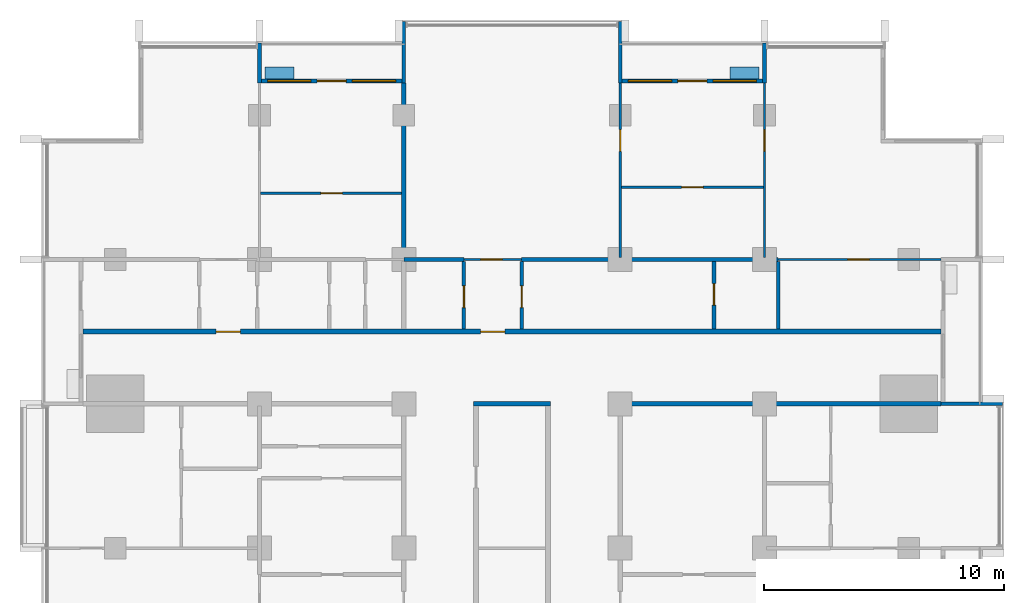
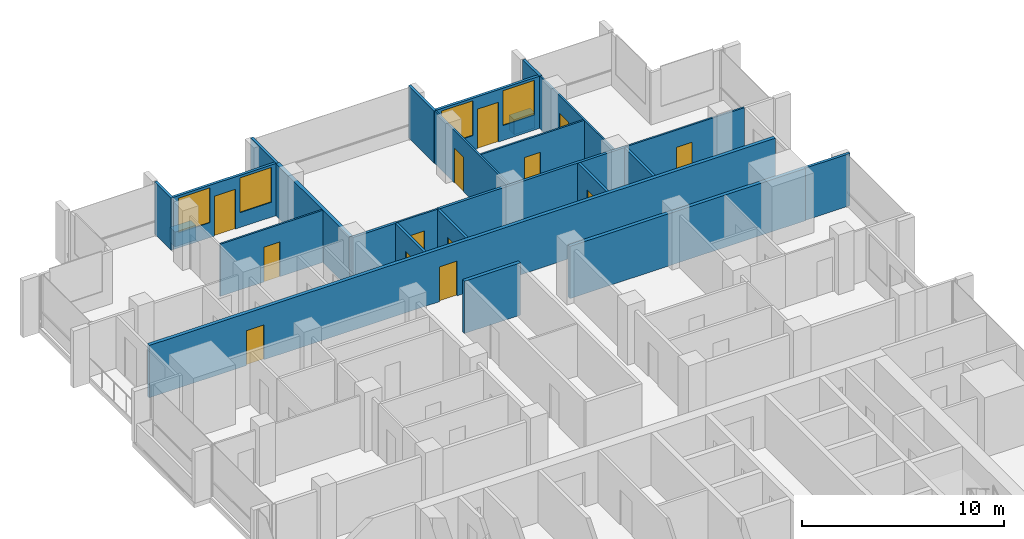
# One storey, part 11 of 17: 25 walls, 13 doors, 4 windows, 17 openings.
"""IFC4 building model written with IfcOpenShell, lengths in metres."""

from ifc_helpers import new_model, si_unit, direction, frame, frame_2d, origin, place, context, subcontext, project, spatial, rectangle, extrude, material, layer, layer_set, type_object, element, fill, save


model = new_model("IFC4")

# Units and contexts
model_context = context("Model", 3, precision=1e-05, world=origin(), true_north=direction((0.0, 1.0)))
body_context = subcontext(model_context, "Body", "Model", "MODEL_VIEW")
ifc_project = project(units=[si_unit("LENGTHUNIT", "METRE"), si_unit("AREAUNIT", "SQUARE_METRE"), si_unit("VOLUMEUNIT", "CUBIC_METRE"), si_unit("PLANEANGLEUNIT", "RADIAN"), si_unit("MASSUNIT", "GRAM", prefix="KILO")], contexts=[model_context])

# Site, building, storey
site_placement = place(None, origin())
site = spatial("IfcSite", under=ifc_project, at=site_placement, CompositionType="ELEMENT")
building_placement = place(site_placement, origin())
building = spatial("IfcBuilding", under=site, at=building_placement, Name="Finial Court Residences", CompositionType="ELEMENT")
storey_placement = place(building_placement, frame((0.0, 0.0, 196.10009765625)))
storey = spatial("IfcBuildingStorey", under=building, at=storey_placement, Name="L49", CompositionType="ELEMENT", Elevation=196.10009765625)

# Walls
ifc_material_1 = material(Name="Gypsum board")
ifc_layer_1 = layer(ifc_material_1, 0.02490234375)
ifc_material_2 = material(Name="Acoustic mineral wool in double frame")
ifc_layer_2 = layer(ifc_material_2, 0.14990234375)
ifc_layer_3 = layer(ifc_material_1, 0.02490234375)
ifc_layer_set_1 = layer_set([ifc_layer_1, ifc_layer_2, ifc_layer_3], Name="Acoustic party wall 200, 1 hour")
wall_type_1 = type_object("IfcWallType", Name="Acoustic party wall 200, 1 hour", PredefinedType="PARTITIONING", material=ifc_layer_set_1)
wall_1_placement = place(storey_placement, frame((-4.5, 13.574951171875, 0.0), z_axis=(0.0, 0.0, 1.0), x_axis=(0.0, 1.0, 0.0)))
element("IfcWall", 1, at=wall_1_placement, inside=storey, type_object=wall_type_1, Name="Partition L49-049", PredefinedType="PARTITIONING", context=body_context, shape_type="SweptSolid", body=[
    extrude(rectangle(XDim=7.275146484375, YDim=0.199951171875, at=frame_2d((3.6376953125, 0.0))), origin(), (0.0, 0.0, 1.0), 3.14990234375),
])
ifc_layer_4 = layer(ifc_material_1, 0.02490234375)
ifc_layer_5 = layer(ifc_material_2, 0.14990234375)
ifc_layer_6 = layer(ifc_material_1, 0.02490234375)
ifc_layer_set_2 = layer_set([ifc_layer_4, ifc_layer_5, ifc_layer_6], Name="Corridor wall 200, 1 hour")
wall_type_2 = type_object("IfcWallType", Name="Corridor wall 200, 1 hour", PredefinedType="PARTITIONING", material=ifc_layer_set_2)
wall_2_placement = place(storey_placement, frame((-1.60009765625, 7.5, 0.0), z_axis=(0.0, 0.0, 1.0), x_axis=(1.0, 0.0, 0.0)))
element("IfcWall", 2, at=wall_2_placement, inside=storey, type_object=wall_type_2, Name="Partition L49-022", PredefinedType="PARTITIONING", context=body_context, shape_type="SweptSolid", body=[
    extrude(rectangle(XDim=3.2001953125, YDim=0.199951171875, at=frame_2d((1.60009765625, 0.0))), origin(), (0.0, 0.0, 1.0), 3.14990234375),
])
wall_3_placement = place(storey_placement, frame((4.39990234375, 7.5, 0.0), z_axis=(0.0, 0.0, 1.0), x_axis=(1.0, 0.0, 0.0)))
element("IfcWall", 3, at=wall_3_placement, inside=storey, type_object=wall_type_2, Name="Partition L49-023", PredefinedType="PARTITIONING", context=body_context, shape_type="SweptSolid", body=[
    extrude(rectangle(XDim=13.4501953125, YDim=0.199951171875, at=frame_2d((6.72509765625, 0.0))), origin(), (0.0, 0.0, 1.0), 3.14990234375),
])

# Wall, openings, doors
wall_4_placement = place(storey_placement, frame((-17.85009765625, 10.5, 0.0), z_axis=(0.0, 0.0, 1.0), x_axis=(1.0, 0.0, 0.0)))
wall_4 = element("IfcWall", 4, at=wall_4_placement, inside=storey, type_object=wall_type_2, Name="Partition L49-024", PredefinedType="PARTITIONING", context=body_context, shape_type="SweptSolid", body=[
    extrude(rectangle(XDim=35.7001953125, YDim=0.199951171875, at=frame_2d((17.85009765625, 0.0))), origin(), (0.0, 0.0, 1.0), 3.14990234375),
])
opening_1_placement = place(wall_4_placement, frame((5.550048828125, 0.0, 0.0)))
opening_1 = element("IfcOpeningElement", 5, at=opening_1_placement, cuts=wall_4, Name="Opening L49-D017", PredefinedType="OPENING", context=body_context, shape_type="SweptSolid", body=[
    extrude(rectangle(XDim=1.0, YDim=2.10009765625, at=frame_2d((0.5, 1.050048828125))), frame((0.0, 0.10986328125, 0.0), z_axis=(0.0, -1.0, 0.0), x_axis=(1.0, 0.0, 0.0)), (0.0, 0.0, 1.0), 0.219970703125),
])
opening_2_placement = place(wall_4_placement, frame((16.550048828125, 0.0, 0.0)))
opening_2 = element("IfcOpeningElement", 6, at=opening_2_placement, cuts=wall_4, Name="Opening L49-D018", PredefinedType="OPENING", context=body_context, shape_type="SweptSolid", body=[
    extrude(rectangle(XDim=1.0, YDim=2.10009765625, at=frame_2d((0.5, 1.050048828125))), frame((0.0, 0.10986328125, 0.0), z_axis=(0.0, -1.0, 0.0), x_axis=(1.0, 0.0, 0.0)), (0.0, 0.0, 1.0), 0.219970703125),
])
ifc_material_3 = material(Name="Timber door leaf in hollow metal frame", Category="wood")
door_type_1 = type_object("IfcDoorType", Name="Fire door set 1000 x 2100, 30 minutes", OperationType="SINGLE_SWING_LEFT", PredefinedType="DOOR", material=ifc_material_3)
door_1_placement = place(opening_1_placement, origin())
door_1 = element("IfcDoor", 7, at=door_1_placement, inside=storey, type_object=door_type_1, Name="Door L49-D017", OperationType="SINGLE_SWING_RIGHT", OverallHeight=2.10009765625, OverallWidth=1.0, PredefinedType="DOOR", context=body_context, shape_type="SweptSolid", body=[
    extrude(rectangle(XDim=1.0, YDim=2.10009765625, at=frame_2d((0.5, 1.050048828125))), frame((0.0, 0.02490234375, 0.0), z_axis=(0.0, -1.0, 0.0), x_axis=(1.0, 0.0, 0.0)), (0.0, 0.0, 1.0), 0.050048828125),
])
fill(opening_1, door_1)
door_2_placement = place(opening_2_placement, origin())
door_2 = element("IfcDoor", 8, at=door_2_placement, inside=storey, type_object=door_type_1, Name="Door L49-D018", OperationType="SINGLE_SWING_RIGHT", OverallHeight=2.10009765625, OverallWidth=1.0, PredefinedType="DOOR", context=body_context, shape_type="SweptSolid", body=[
    extrude(rectangle(XDim=1.0, YDim=2.10009765625, at=frame_2d((0.5, 1.050048828125))), frame((0.0, 0.02490234375, 0.0), z_axis=(0.0, -1.0, 0.0), x_axis=(1.0, 0.0, 0.0)), (0.0, 0.0, 1.0), 0.050048828125),
])
fill(opening_2, door_2)

# Wall, opening, door
ifc_layer_7 = layer(ifc_material_1, 0.012451171875)
ifc_material_4 = material(Name="Mineral wool in light-gauge frame")
ifc_layer_8 = layer(ifc_material_4, 0.074951171875)
ifc_layer_9 = layer(ifc_material_1, 0.012451171875)
ifc_layer_set_3 = layer_set([ifc_layer_7, ifc_layer_8, ifc_layer_9], Name="Gypsum board partition 100")
wall_type_3 = type_object("IfcWallType", Name="Gypsum board partition 100", PredefinedType="PARTITIONING", material=ifc_layer_set_3)
wall_5_placement = place(storey_placement, frame((-2.0, 13.5, 0.0), z_axis=(0.0, 0.0, 1.0), x_axis=(1.0, 0.0, 0.0)))
wall_5 = element("IfcWall", 9, at=wall_5_placement, inside=storey, type_object=wall_type_3, Name="Partition L49-027", PredefinedType="PARTITIONING", context=body_context, shape_type="SweptSolid", body=[
    extrude(rectangle(XDim=2.39990234375, YDim=0.10009765625, at=frame_2d((1.199951171875, 0.0))), origin(), (0.0, 0.0, 1.0), 3.14990234375),
])
opening_3_placement = place(wall_5_placement, frame((0.699951171875, 0.0, 0.0)))
opening_3 = element("IfcOpeningElement", 10, at=opening_3_placement, cuts=wall_5, Name="Opening L49-D020", PredefinedType="OPENING", context=body_context, shape_type="SweptSolid", body=[
    extrude(rectangle(XDim=0.89990234375, YDim=2.10009765625, at=frame_2d((0.449951171875, 1.050048828125))), frame((0.0, 0.06005859375, 0.0), z_axis=(0.0, -1.0, 0.0), x_axis=(1.0, 0.0, 0.0)), (0.0, 0.0, 1.0), 0.1201171875),
])
ifc_material_5 = material(Name="Timber door leaf in timber frame", Category="wood")
door_type_2 = type_object("IfcDoorType", Name="Door set 900 x 2100", OperationType="SINGLE_SWING_LEFT", PredefinedType="DOOR", material=ifc_material_5)
door_3_placement = place(opening_3_placement, origin())
door_3 = element("IfcDoor", 11, at=door_3_placement, inside=storey, type_object=door_type_2, Name="Door L49-D020", OperationType="SINGLE_SWING_RIGHT", OverallHeight=2.10009765625, OverallWidth=0.89990234375, PredefinedType="DOOR", context=body_context, shape_type="SweptSolid", body=[
    extrude(rectangle(XDim=0.89990234375, YDim=2.10009765625, at=frame_2d((0.449951171875, 1.050048828125))), frame((0.0, 0.02490234375, 0.0), z_axis=(0.0, -1.0, 0.0), x_axis=(1.0, 0.0, 0.0)), (0.0, 0.0, 1.0), 0.050048828125),
])
fill(opening_3, door_3)

wall_6_placement = place(storey_placement, frame((11.06689453125, 13.5, 0.0), z_axis=(0.0, 0.0, 1.0), x_axis=(1.0, 0.0, 0.0)))
wall_6 = element("IfcWall", 12, at=wall_6_placement, inside=storey, type_object=wall_type_3, Name="Partition L49-028", PredefinedType="PARTITIONING", context=body_context, shape_type="SweptSolid", body=[
    extrude(rectangle(XDim=6.783203125, YDim=0.10009765625, at=frame_2d((3.3916015625, 0.0))), origin(), (0.0, 0.0, 1.0), 3.14990234375),
])
opening_4_placement = place(wall_6_placement, frame((2.89990234375, 0.0, 0.0)))
opening_4 = element("IfcOpeningElement", 13, at=opening_4_placement, cuts=wall_6, Name="Opening L49-D021", PredefinedType="OPENING", context=body_context, shape_type="SweptSolid", body=[
    extrude(rectangle(XDim=0.89990234375, YDim=2.10009765625, at=frame_2d((0.449951171875, 1.050048828125))), frame((0.0, 0.06005859375, 0.0), z_axis=(0.0, -1.0, 0.0), x_axis=(1.0, 0.0, 0.0)), (0.0, 0.0, 1.0), 0.1201171875),
])
door_4_placement = place(opening_4_placement, origin())
door_4 = element("IfcDoor", 14, at=door_4_placement, inside=storey, type_object=door_type_2, Name="Door L49-D021", OperationType="SINGLE_SWING_RIGHT", OverallHeight=2.10009765625, OverallWidth=0.89990234375, PredefinedType="DOOR", context=body_context, shape_type="SweptSolid", body=[
    extrude(rectangle(XDim=0.89990234375, YDim=2.10009765625, at=frame_2d((0.449951171875, 1.050048828125))), frame((0.0, 0.02490234375, 0.0), z_axis=(0.0, -1.0, 0.0), x_axis=(1.0, 0.0, 0.0)), (0.0, 0.0, 1.0), 0.050048828125),
])
fill(opening_4, door_4)

wall_7_placement = place(storey_placement, frame((-10.449951171875, 16.25, 0.0), z_axis=(0.0, 0.0, 1.0), x_axis=(1.0, 0.0, 0.0)))
wall_7 = element("IfcWall", 15, at=wall_7_placement, inside=storey, type_object=wall_type_3, Name="Partition L49-033", PredefinedType="PARTITIONING", context=body_context, shape_type="SweptSolid", body=[
    extrude(rectangle(XDim=5.849853515625, YDim=0.10009765625, at=frame_2d((2.9248046875, 0.0))), origin(), (0.0, 0.0, 1.0), 3.14990234375),
])
opening_5_placement = place(wall_7_placement, frame((2.5, 0.0, 0.0)))
opening_5 = element("IfcOpeningElement", 16, at=opening_5_placement, cuts=wall_7, Name="Opening L49-D022", PredefinedType="OPENING", context=body_context, shape_type="SweptSolid", body=[
    extrude(rectangle(XDim=0.89990234375, YDim=2.10009765625, at=frame_2d((0.449951171875, 1.050048828125))), frame((0.0, 0.06005859375, 0.0), z_axis=(0.0, -1.0, 0.0), x_axis=(1.0, 0.0, 0.0)), (0.0, 0.0, 1.0), 0.1201171875),
])
door_5_placement = place(opening_5_placement, origin())
door_5 = element("IfcDoor", 17, at=door_5_placement, inside=storey, type_object=door_type_2, Name="Door L49-D022", OperationType="SINGLE_SWING_RIGHT", OverallHeight=2.10009765625, OverallWidth=0.89990234375, PredefinedType="DOOR", context=body_context, shape_type="SweptSolid", body=[
    extrude(rectangle(XDim=0.89990234375, YDim=2.10009765625, at=frame_2d((0.449951171875, 1.050048828125))), frame((0.0, 0.02490234375, 0.0), z_axis=(0.0, -1.0, 0.0), x_axis=(1.0, 0.0, 0.0)), (0.0, 0.0, 1.0), 0.050048828125),
])
fill(opening_5, door_5)

wall_8_placement = place(storey_placement, frame((4.550048828125, 16.5, 0.0), z_axis=(0.0, 0.0, 1.0), x_axis=(1.0, 0.0, 0.0)))
wall_8 = element("IfcWall", 18, at=wall_8_placement, inside=storey, type_object=wall_type_3, Name="Partition L49-034", PredefinedType="PARTITIONING", context=body_context, shape_type="SweptSolid", body=[
    extrude(rectangle(XDim=5.89990234375, YDim=0.10009765625, at=frame_2d((2.949951171875, 0.0))), origin(), (0.0, 0.0, 1.0), 3.14990234375),
])
opening_6_placement = place(wall_8_placement, frame((2.5, 0.0, 0.0)))
opening_6 = element("IfcOpeningElement", 19, at=opening_6_placement, cuts=wall_8, Name="Opening L49-D023", PredefinedType="OPENING", context=body_context, shape_type="SweptSolid", body=[
    extrude(rectangle(XDim=0.89990234375, YDim=2.10009765625, at=frame_2d((0.449951171875, 1.050048828125))), frame((0.0, 0.06005859375, 0.0), z_axis=(0.0, -1.0, 0.0), x_axis=(1.0, 0.0, 0.0)), (0.0, 0.0, 1.0), 0.1201171875),
])
door_6_placement = place(opening_6_placement, origin())
door_6 = element("IfcDoor", 20, at=door_6_placement, inside=storey, type_object=door_type_2, Name="Door L49-D023", OperationType="SINGLE_SWING_RIGHT", OverallHeight=2.10009765625, OverallWidth=0.89990234375, PredefinedType="DOOR", context=body_context, shape_type="SweptSolid", body=[
    extrude(rectangle(XDim=0.89990234375, YDim=2.10009765625, at=frame_2d((0.449951171875, 1.050048828125))), frame((0.0, 0.02490234375, 0.0), z_axis=(0.0, -1.0, 0.0), x_axis=(1.0, 0.0, 0.0)), (0.0, 0.0, 1.0), 0.050048828125),
])
fill(opening_6, door_6)

wall_9_placement = place(storey_placement, frame((4.5, 13.574951171875, 0.0), z_axis=(0.0, 0.0, 1.0), x_axis=(0.0, 1.0, 0.0)))
wall_9 = element("IfcWall", 21, at=wall_9_placement, inside=storey, type_object=wall_type_3, Name="Partition L49-055", PredefinedType="PARTITIONING", context=body_context, shape_type="SweptSolid", body=[
    extrude(rectangle(XDim=7.275146484375, YDim=0.10009765625, at=frame_2d((3.6376953125, 0.0))), origin(), (0.0, 0.0, 1.0), 3.14990234375),
])
opening_7_placement = place(wall_9_placement, frame((4.425048828125, 0.0, 0.0)))
opening_7 = element("IfcOpeningElement", 22, at=opening_7_placement, cuts=wall_9, Name="Opening L49-D038", PredefinedType="OPENING", context=body_context, shape_type="SweptSolid", body=[
    extrude(rectangle(XDim=0.89990234375, YDim=2.10009765625, at=frame_2d((0.449951171875, 1.050048828125))), frame((0.0, 0.06005859375, 0.0), z_axis=(0.0, -1.0, 0.0), x_axis=(1.0, 0.0, 0.0)), (0.0, 0.0, 1.0), 0.1201171875),
])
door_7_placement = place(opening_7_placement, origin())
door_7 = element("IfcDoor", 23, at=door_7_placement, inside=storey, type_object=door_type_2, Name="Door L49-D038", OperationType="SINGLE_SWING_RIGHT", OverallHeight=2.10009765625, OverallWidth=0.89990234375, PredefinedType="DOOR", context=body_context, shape_type="SweptSolid", body=[
    extrude(rectangle(XDim=0.89990234375, YDim=2.10009765625, at=frame_2d((0.449951171875, 1.050048828125))), frame((0.0, 0.02490234375, 0.0), z_axis=(0.0, -1.0, 0.0), x_axis=(1.0, 0.0, 0.0)), (0.0, 0.0, 1.0), 0.050048828125),
])
fill(opening_7, door_7)

wall_10_placement = place(storey_placement, frame((10.5, 13.574951171875, 0.0), z_axis=(0.0, 0.0, 1.0), x_axis=(0.0, 1.0, 0.0)))
wall_10 = element("IfcWall", 24, at=wall_10_placement, inside=storey, type_object=wall_type_3, Name="Partition L49-058", PredefinedType="PARTITIONING", context=body_context, shape_type="SweptSolid", body=[
    extrude(rectangle(XDim=7.275146484375, YDim=0.10009765625, at=frame_2d((3.6376953125, 0.0))), origin(), (0.0, 0.0, 1.0), 3.14990234375),
])
opening_8_placement = place(wall_10_placement, frame((4.425048828125, 0.0, 0.0)))
opening_8 = element("IfcOpeningElement", 25, at=opening_8_placement, cuts=wall_10, Name="Opening L49-D041", PredefinedType="OPENING", context=body_context, shape_type="SweptSolid", body=[
    extrude(rectangle(XDim=0.89990234375, YDim=2.10009765625, at=frame_2d((0.449951171875, 1.050048828125))), frame((0.0, 0.06005859375, 0.0), z_axis=(0.0, -1.0, 0.0), x_axis=(1.0, 0.0, 0.0)), (0.0, 0.0, 1.0), 0.1201171875),
])
door_8_placement = place(opening_8_placement, origin())
door_8 = element("IfcDoor", 26, at=door_8_placement, inside=storey, type_object=door_type_2, Name="Door L49-D041", OperationType="SINGLE_SWING_RIGHT", OverallHeight=2.10009765625, OverallWidth=0.89990234375, PredefinedType="DOOR", context=body_context, shape_type="SweptSolid", body=[
    extrude(rectangle(XDim=0.89990234375, YDim=2.10009765625, at=frame_2d((0.449951171875, 1.050048828125))), frame((0.0, 0.02490234375, 0.0), z_axis=(0.0, -1.0, 0.0), x_axis=(1.0, 0.0, 0.0)), (0.0, 0.0, 1.0), 0.050048828125),
])
fill(opening_8, door_8)

# Walls
ifc_material_6 = material(Name="Moisture-resistant gypsum board")
ifc_layer_10 = layer(ifc_material_6, 0.012451171875)
ifc_layer_11 = layer(ifc_material_4, 0.125)
ifc_layer_12 = layer(ifc_material_6, 0.012451171875)
ifc_layer_set_4 = layer_set([ifc_layer_10, ifc_layer_11, ifc_layer_12], Name="Gypsum board wet-area partition 150")
wall_type_4 = type_object("IfcWallType", Name="Gypsum board wet-area partition 150", PredefinedType="PARTITIONING", material=ifc_layer_set_4)
wall_11_placement = place(storey_placement, frame((-4.5, 13.5, 0.0), z_axis=(0.0, 0.0, 1.0), x_axis=(1.0, 0.0, 0.0)))
element("IfcWall", 27, at=wall_11_placement, inside=storey, type_object=wall_type_4, Name="Partition L49-031", PredefinedType="PARTITIONING", context=body_context, shape_type="SweptSolid", body=[
    extrude(rectangle(XDim=2.5, YDim=0.14990234375, at=frame_2d((1.25, 0.0))), origin(), (0.0, 0.0, 1.0), 3.14990234375),
])
wall_12_placement = place(storey_placement, frame((0.39990234375, 13.5, 0.0), z_axis=(0.0, 0.0, 1.0), x_axis=(1.0, 0.0, 0.0)))
element("IfcWall", 28, at=wall_12_placement, inside=storey, type_object=wall_type_4, Name="Partition L49-032", PredefinedType="PARTITIONING", context=body_context, shape_type="SweptSolid", body=[
    extrude(rectangle(XDim=10.6669921875, YDim=0.14990234375, at=frame_2d((5.33349609375, 0.0))), origin(), (0.0, 0.0, 1.0), 3.14990234375),
])

# Wall, opening, door
wall_13_placement = place(storey_placement, frame((-2.0, 10.60009765625, 0.0), z_axis=(0.0, 0.0, 1.0), x_axis=(0.0, 1.0, 0.0)))
wall_13 = element("IfcWall", 29, at=wall_13_placement, inside=storey, type_object=wall_type_4, Name="Partition L49-050", PredefinedType="PARTITIONING", context=body_context, shape_type="SweptSolid", body=[
    extrude(rectangle(XDim=2.824951171875, YDim=0.14990234375, at=frame_2d((1.41259765625, 0.0))), origin(), (0.0, 0.0, 1.0), 3.14990234375),
])
opening_9_placement = place(wall_13_placement, frame((0.89990234375, 0.0, 0.0)))
opening_9 = element("IfcOpeningElement", 30, at=opening_9_placement, cuts=wall_13, Name="Opening L49-D033", PredefinedType="OPENING", context=body_context, shape_type="SweptSolid", body=[
    extrude(rectangle(XDim=0.89990234375, YDim=2.10009765625, at=frame_2d((0.449951171875, 1.050048828125))), frame((0.0, 0.0849609375, 0.0), z_axis=(0.0, -1.0, 0.0), x_axis=(1.0, 0.0, 0.0)), (0.0, 0.0, 1.0), 0.169921875),
])
door_9_placement = place(opening_9_placement, origin())
door_9 = element("IfcDoor", 31, at=door_9_placement, inside=storey, type_object=door_type_2, Name="Door L49-D033", OperationType="SINGLE_SWING_LEFT", OverallHeight=2.10009765625, OverallWidth=0.89990234375, PredefinedType="DOOR", context=body_context, shape_type="SweptSolid", body=[
    extrude(rectangle(XDim=0.89990234375, YDim=2.10009765625, at=frame_2d((0.449951171875, 1.050048828125))), frame((0.0, 0.02490234375, 0.0), z_axis=(0.0, -1.0, 0.0), x_axis=(1.0, 0.0, 0.0)), (0.0, 0.0, 1.0), 0.050048828125),
])
fill(opening_9, door_9)

wall_14_placement = place(storey_placement, frame((0.39990234375, 10.60009765625, 0.0), z_axis=(0.0, 0.0, 1.0), x_axis=(0.0, 1.0, 0.0)))
wall_14 = element("IfcWall", 32, at=wall_14_placement, inside=storey, type_object=wall_type_4, Name="Partition L49-052", PredefinedType="PARTITIONING", context=body_context, shape_type="SweptSolid", body=[
    extrude(rectangle(XDim=2.824951171875, YDim=0.14990234375, at=frame_2d((1.41259765625, 0.0))), origin(), (0.0, 0.0, 1.0), 3.14990234375),
])
opening_10_placement = place(wall_14_placement, frame((0.89990234375, 0.0, 0.0)))
opening_10 = element("IfcOpeningElement", 33, at=opening_10_placement, cuts=wall_14, Name="Opening L49-D036", PredefinedType="OPENING", context=body_context, shape_type="SweptSolid", body=[
    extrude(rectangle(XDim=0.89990234375, YDim=2.10009765625, at=frame_2d((0.449951171875, 1.050048828125))), frame((0.0, 0.0849609375, 0.0), z_axis=(0.0, -1.0, 0.0), x_axis=(1.0, 0.0, 0.0)), (0.0, 0.0, 1.0), 0.169921875),
])
door_10_placement = place(opening_10_placement, origin())
door_10 = element("IfcDoor", 34, at=door_10_placement, inside=storey, type_object=door_type_2, Name="Door L49-D036", OperationType="SINGLE_SWING_LEFT", OverallHeight=2.10009765625, OverallWidth=0.89990234375, PredefinedType="DOOR", context=body_context, shape_type="SweptSolid", body=[
    extrude(rectangle(XDim=0.89990234375, YDim=2.10009765625, at=frame_2d((0.449951171875, 1.050048828125))), frame((0.0, 0.02490234375, 0.0), z_axis=(0.0, -1.0, 0.0), x_axis=(1.0, 0.0, 0.0)), (0.0, 0.0, 1.0), 0.050048828125),
])
fill(opening_10, door_10)

wall_15_placement = place(storey_placement, frame((8.39990234375, 10.60009765625, 0.0), z_axis=(0.0, 0.0, 1.0), x_axis=(0.0, 1.0, 0.0)))
wall_15 = element("IfcWall", 35, at=wall_15_placement, inside=storey, type_object=wall_type_4, Name="Partition L49-056", PredefinedType="PARTITIONING", context=body_context, shape_type="SweptSolid", body=[
    extrude(rectangle(XDim=2.824951171875, YDim=0.14990234375, at=frame_2d((1.41259765625, 0.0))), origin(), (0.0, 0.0, 1.0), 3.14990234375),
])
opening_11_placement = place(wall_15_placement, frame((1.0, 0.0, 0.0)))
opening_11 = element("IfcOpeningElement", 36, at=opening_11_placement, cuts=wall_15, Name="Opening L49-D039", PredefinedType="OPENING", context=body_context, shape_type="SweptSolid", body=[
    extrude(rectangle(XDim=0.89990234375, YDim=2.10009765625, at=frame_2d((0.449951171875, 1.050048828125))), frame((0.0, 0.0849609375, 0.0), z_axis=(0.0, -1.0, 0.0), x_axis=(1.0, 0.0, 0.0)), (0.0, 0.0, 1.0), 0.169921875),
])
door_11_placement = place(opening_11_placement, origin())
door_11 = element("IfcDoor", 37, at=door_11_placement, inside=storey, type_object=door_type_2, Name="Door L49-D039", OperationType="SINGLE_SWING_RIGHT", OverallHeight=2.10009765625, OverallWidth=0.89990234375, PredefinedType="DOOR", context=body_context, shape_type="SweptSolid", body=[
    extrude(rectangle(XDim=0.89990234375, YDim=2.10009765625, at=frame_2d((0.449951171875, 1.050048828125))), frame((0.0, 0.02490234375, 0.0), z_axis=(0.0, -1.0, 0.0), x_axis=(1.0, 0.0, 0.0)), (0.0, 0.0, 1.0), 0.050048828125),
])
fill(opening_11, door_11)

# Walls
wall_16_placement = place(storey_placement, frame((11.06689453125, 10.60009765625, 0.0), z_axis=(0.0, 0.0, 1.0), x_axis=(0.0, 1.0, 0.0)))
element("IfcWall", 38, at=wall_16_placement, inside=storey, type_object=wall_type_4, Name="Partition L49-061", PredefinedType="PARTITIONING", context=body_context, shape_type="SweptSolid", body=[
    extrude(rectangle(XDim=2.824951171875, YDim=0.14990234375, at=frame_2d((1.41259765625, 0.0))), origin(), (0.0, 0.0, 1.0), 3.14990234375),
])
ifc_material_7 = material(Name="Natural limestone", Category="masonry")
ifc_layer_13 = layer(ifc_material_7, 0.14990234375)
ifc_layer_set_5 = layer_set([ifc_layer_13], Name="Limestone clad wall 150")
wall_type_5 = type_object("IfcWallType", Name="Limestone clad wall 150", PredefinedType="SOLIDWALL", material=ifc_layer_set_5)
wall_17_placement = place(storey_placement, frame((-10.5, 20.85009765625, 0.0), z_axis=(0.0, 0.0, 1.0), x_axis=(0.0, 1.0, 0.0)))
element("IfcWall", 39, at=wall_17_placement, inside=storey, type_object=wall_type_5, Name="E-L49-BALN2-P1", PredefinedType="SOLIDWALL", context=body_context, shape_type="SweptSolid", body=[
    extrude(rectangle(XDim=1.64990234375, YDim=0.14990234375, at=frame_2d((0.824951171875, 0.0))), origin(), (0.0, 0.0, 1.0), 3.14990234375),
])
wall_18_placement = place(storey_placement, frame((-4.5, 20.85009765625, 0.0), z_axis=(0.0, 0.0, 1.0), x_axis=(0.0, 1.0, 0.0)))
element("IfcWall", 40, at=wall_18_placement, inside=storey, type_object=wall_type_5, Name="E-L49-BALN2-P2", PredefinedType="SOLIDWALL", context=body_context, shape_type="SweptSolid", body=[
    extrude(rectangle(XDim=2.5498046875, YDim=0.14990234375, at=frame_2d((1.27490234375, 0.0))), origin(), (0.0, 0.0, 1.0), 3.14990234375),
])

# Wall, openings, door, windows
wall_19_placement = place(storey_placement, frame((-10.425048828125, 20.925048828125, 0.0), z_axis=(0.0, 0.0, 1.0), x_axis=(1.0, 0.0, 0.0)))
wall_19 = element("IfcWall", 41, at=wall_19_placement, inside=storey, type_object=wall_type_5, Name="E-L49-L49-BALN2-W", PredefinedType="SOLIDWALL", context=body_context, shape_type="SweptSolid", body=[
    extrude(rectangle(XDim=5.85009765625, YDim=0.14990234375, at=frame_2d((2.925048828125, 0.0))), origin(), (0.0, 0.0, 1.0), 3.14990234375),
])
opening_12_placement = place(wall_19_placement, frame((2.324951171875, 0.0, 0.0)))
opening_12 = element("IfcOpeningElement", 42, at=opening_12_placement, cuts=wall_19, Name="Opening DE49-01", PredefinedType="OPENING", context=body_context, shape_type="SweptSolid", body=[
    extrude(rectangle(XDim=1.199951171875, YDim=2.39990234375, at=frame_2d((0.60009765625, 1.199951171875))), frame((0.0, 0.0849609375, 0.0), z_axis=(0.0, -1.0, 0.0), x_axis=(1.0, 0.0, 0.0)), (0.0, 0.0, 1.0), 0.169921875),
])
opening_13_placement = place(wall_19_placement, frame((0.262451171875, 0.0, 0.89990234375)))
opening_13 = element("IfcOpeningElement", 43, at=opening_13_placement, cuts=wall_19, Name="Opening WE49-09", PredefinedType="OPENING", context=body_context, shape_type="SweptSolid", body=[
    extrude(rectangle(XDim=1.800048828125, YDim=2.10009765625, at=frame_2d((0.89990234375, 1.050048828125))), frame((0.0, 0.0849609375, 0.0), z_axis=(0.0, -1.0, 0.0), x_axis=(1.0, 0.0, 0.0)), (0.0, 0.0, 1.0), 0.169921875),
])
opening_14_placement = place(wall_19_placement, frame((3.78759765625, 0.0, 0.89990234375)))
opening_14 = element("IfcOpeningElement", 44, at=opening_14_placement, cuts=wall_19, Name="Opening WE49-10", PredefinedType="OPENING", context=body_context, shape_type="SweptSolid", body=[
    extrude(rectangle(XDim=1.800048828125, YDim=2.10009765625, at=frame_2d((0.89990234375, 1.050048828125))), frame((0.0, 0.0849609375, 0.0), z_axis=(0.0, -1.0, 0.0), x_axis=(1.0, 0.0, 0.0)), (0.0, 0.0, 1.0), 0.169921875),
])
ifc_material_8 = material(Name="Bronze anodised aluminium", Category="aluminium")
door_type_3 = type_object("IfcDoorType", Name="Balcony door 1200 x 2400", OperationType="SINGLE_SWING_LEFT", PredefinedType="DOOR", material=ifc_material_8)
door_12_placement = place(opening_12_placement, origin())
door_12 = element("IfcDoor", 45, at=door_12_placement, inside=storey, type_object=door_type_3, Name="E-L49-L49-BALN2-W-D", OperationType="SINGLE_SWING_RIGHT", OverallHeight=2.39990234375, OverallWidth=1.199951171875, PredefinedType="DOOR", context=body_context, shape_type="SweptSolid", body=[
    extrude(rectangle(XDim=1.199951171875, YDim=2.39990234375, at=frame_2d((0.60009765625, 1.199951171875))), frame((0.0, 0.02490234375, 0.0), z_axis=(0.0, -1.0, 0.0), x_axis=(1.0, 0.0, 0.0)), (0.0, 0.0, 1.0), 0.050048828125),
])
fill(opening_12, door_12)
ifc_material_9 = material(Name="Clear low-e glass", Category="glass")
window_type = type_object("IfcWindowType", Name="Balcony window 1800 x 2100", PartitioningType="SINGLE_PANEL", PredefinedType="WINDOW", material=ifc_material_9)
window_1_placement = place(opening_13_placement, origin())
window_1 = element("IfcWindow", 46, at=window_1_placement, inside=storey, type_object=window_type, Name="E-L49-L49-BALN2-W-W1", OverallHeight=2.10009765625, OverallWidth=1.800048828125, PartitioningType="SINGLE_PANEL", PredefinedType="WINDOW", context=body_context, shape_type="SweptSolid", body=[
    extrude(rectangle(XDim=1.800048828125, YDim=2.10009765625, at=frame_2d((0.89990234375, 1.050048828125))), frame((0.0, 0.030029296875, 0.0), z_axis=(0.0, -1.0, 0.0), x_axis=(1.0, 0.0, 0.0)), (0.0, 0.0, 1.0), 0.06005859375),
])
fill(opening_13, window_1)
window_2_placement = place(opening_14_placement, origin())
window_2 = element("IfcWindow", 47, at=window_2_placement, inside=storey, type_object=window_type, Name="E-L49-L49-BALN2-W-W2", OverallHeight=2.10009765625, OverallWidth=1.800048828125, PartitioningType="SINGLE_PANEL", PredefinedType="WINDOW", context=body_context, shape_type="SweptSolid", body=[
    extrude(rectangle(XDim=1.800048828125, YDim=2.10009765625, at=frame_2d((0.89990234375, 1.050048828125))), frame((0.0, 0.030029296875, 0.0), z_axis=(0.0, -1.0, 0.0), x_axis=(1.0, 0.0, 0.0)), (0.0, 0.0, 1.0), 0.06005859375),
])
fill(opening_14, window_2)

# Walls
wall_20_placement = place(storey_placement, frame((4.5, 20.85009765625, 0.0), z_axis=(0.0, 0.0, 1.0), x_axis=(0.0, 1.0, 0.0)))
element("IfcWall", 48, at=wall_20_placement, inside=storey, type_object=wall_type_5, Name="E-L49-BALN4-P1", PredefinedType="SOLIDWALL", context=body_context, shape_type="SweptSolid", body=[
    extrude(rectangle(XDim=2.5498046875, YDim=0.14990234375, at=frame_2d((1.27490234375, 0.0))), origin(), (0.0, 0.0, 1.0), 3.14990234375),
])
wall_21_placement = place(storey_placement, frame((10.5, 20.85009765625, 0.0), z_axis=(0.0, 0.0, 1.0), x_axis=(0.0, 1.0, 0.0)))
element("IfcWall", 49, at=wall_21_placement, inside=storey, type_object=wall_type_5, Name="E-L49-BALN4-P2", PredefinedType="SOLIDWALL", context=body_context, shape_type="SweptSolid", body=[
    extrude(rectangle(XDim=1.64990234375, YDim=0.14990234375, at=frame_2d((0.824951171875, 0.0))), origin(), (0.0, 0.0, 1.0), 3.14990234375),
])

# Wall, openings, door, windows
wall_22_placement = place(storey_placement, frame((4.574951171875, 20.925048828125, 0.0), z_axis=(0.0, 0.0, 1.0), x_axis=(1.0, 0.0, 0.0)))
wall_22 = element("IfcWall", 50, at=wall_22_placement, inside=storey, type_object=wall_type_5, Name="E-L49-L49-BALN4-W", PredefinedType="SOLIDWALL", context=body_context, shape_type="SweptSolid", body=[
    extrude(rectangle(XDim=5.85009765625, YDim=0.14990234375, at=frame_2d((2.925048828125, 0.0))), origin(), (0.0, 0.0, 1.0), 3.14990234375),
])
opening_15_placement = place(wall_22_placement, frame((2.324951171875, 0.0, 0.0)))
opening_15 = element("IfcOpeningElement", 51, at=opening_15_placement, cuts=wall_22, Name="Opening DE49-02", PredefinedType="OPENING", context=body_context, shape_type="SweptSolid", body=[
    extrude(rectangle(XDim=1.199951171875, YDim=2.39990234375, at=frame_2d((0.60009765625, 1.199951171875))), frame((0.0, 0.0849609375, 0.0), z_axis=(0.0, -1.0, 0.0), x_axis=(1.0, 0.0, 0.0)), (0.0, 0.0, 1.0), 0.169921875),
])
opening_16_placement = place(wall_22_placement, frame((0.262451171875, 0.0, 0.89990234375)))
opening_16 = element("IfcOpeningElement", 52, at=opening_16_placement, cuts=wall_22, Name="Opening WE49-11", PredefinedType="OPENING", context=body_context, shape_type="SweptSolid", body=[
    extrude(rectangle(XDim=1.800048828125, YDim=2.10009765625, at=frame_2d((0.89990234375, 1.050048828125))), frame((0.0, 0.0849609375, 0.0), z_axis=(0.0, -1.0, 0.0), x_axis=(1.0, 0.0, 0.0)), (0.0, 0.0, 1.0), 0.169921875),
])
opening_17_placement = place(wall_22_placement, frame((3.78759765625, 0.0, 0.89990234375)))
opening_17 = element("IfcOpeningElement", 53, at=opening_17_placement, cuts=wall_22, Name="Opening WE49-12", PredefinedType="OPENING", context=body_context, shape_type="SweptSolid", body=[
    extrude(rectangle(XDim=1.800048828125, YDim=2.10009765625, at=frame_2d((0.89990234375, 1.050048828125))), frame((0.0, 0.0849609375, 0.0), z_axis=(0.0, -1.0, 0.0), x_axis=(1.0, 0.0, 0.0)), (0.0, 0.0, 1.0), 0.169921875),
])
door_13_placement = place(opening_15_placement, origin())
door_13 = element("IfcDoor", 54, at=door_13_placement, inside=storey, type_object=door_type_3, Name="E-L49-L49-BALN4-W-D", OperationType="SINGLE_SWING_LEFT", OverallHeight=2.39990234375, OverallWidth=1.199951171875, PredefinedType="DOOR", context=body_context, shape_type="SweptSolid", body=[
    extrude(rectangle(XDim=1.199951171875, YDim=2.39990234375, at=frame_2d((0.60009765625, 1.199951171875))), frame((0.0, 0.02490234375, 0.0), z_axis=(0.0, -1.0, 0.0), x_axis=(1.0, 0.0, 0.0)), (0.0, 0.0, 1.0), 0.050048828125),
])
fill(opening_15, door_13)
window_3_placement = place(opening_16_placement, origin())
window_3 = element("IfcWindow", 55, at=window_3_placement, inside=storey, type_object=window_type, Name="E-L49-L49-BALN4-W-W1", OverallHeight=2.10009765625, OverallWidth=1.800048828125, PartitioningType="SINGLE_PANEL", PredefinedType="WINDOW", context=body_context, shape_type="SweptSolid", body=[
    extrude(rectangle(XDim=1.800048828125, YDim=2.10009765625, at=frame_2d((0.89990234375, 1.050048828125))), frame((0.0, 0.030029296875, 0.0), z_axis=(0.0, -1.0, 0.0), x_axis=(1.0, 0.0, 0.0)), (0.0, 0.0, 1.0), 0.06005859375),
])
fill(opening_16, window_3)
window_4_placement = place(opening_17_placement, origin())
window_4 = element("IfcWindow", 56, at=window_4_placement, inside=storey, type_object=window_type, Name="E-L49-L49-BALN4-W-W2", OverallHeight=2.10009765625, OverallWidth=1.800048828125, PartitioningType="SINGLE_PANEL", PredefinedType="WINDOW", context=body_context, shape_type="SweptSolid", body=[
    extrude(rectangle(XDim=1.800048828125, YDim=2.10009765625, at=frame_2d((0.89990234375, 1.050048828125))), frame((0.0, 0.030029296875, 0.0), z_axis=(0.0, -1.0, 0.0), x_axis=(1.0, 0.0, 0.0)), (0.0, 0.0, 1.0), 0.06005859375),
])
fill(opening_17, window_4)

# Walls
wall_23_placement = place(storey_placement, frame((17.85009765625, 7.5, 0.0), z_axis=(0.0, 0.0, 1.0), x_axis=(1.0, 0.0, 0.0)))
element("IfcWall", 57, at=wall_23_placement, inside=storey, type_object=wall_type_5, Name="E-L49-BALE5-P1", PredefinedType="SOLIDWALL", context=body_context, shape_type="SweptSolid", body=[
    extrude(rectangle(XDim=2.5498046875, YDim=0.14990234375, at=frame_2d((1.27490234375, 0.0))), origin(), (0.0, 0.0, 1.0), 3.14990234375),
])
ifc_material_10 = material(Name="Concrete C40/50", Category="concrete")
ifc_layer_14 = layer(ifc_material_10, 0.10009765625)
ifc_material_11 = material(Name="Planting soil", Category="soil")
ifc_layer_15 = layer(ifc_material_11, 0.300048828125)
ifc_layer_16 = layer(ifc_material_10, 0.10009765625)
ifc_layer_set_6 = layer_set([ifc_layer_14, ifc_layer_15, ifc_layer_16], Name="Planter wall, balcony")
wall_type_6 = type_object("IfcWallType", Name="Planter wall, balcony", PredefinedType="USERDEFINED", material=ifc_layer_set_6)
for number, where, z_axis, x_axis, name in (
    (58, (-10.27490234375, 21.25, 0.0), (0.0, 0.0, 1.0), (1.0, 0.0, 0.0), "E-L49-BALN2-PL"),
    (59, (9.074951171875, 21.25, 0.0), (0.0, 0.0, 1.0), (1.0, 0.0, 0.0), "E-L49-BALN4-PL"),
):
    element("IfcWall", number, at=place(storey_placement, frame(where, z_axis=z_axis, x_axis=x_axis)), inside=storey, type_object=wall_type_6, Name=name, ObjectType="PLANTER", PredefinedType="USERDEFINED", context=body_context, shape_type="SweptSolid", body=[
        extrude(rectangle(XDim=1.199951171875, YDim=0.5, at=frame_2d((0.60009765625, 0.0))), origin(), (0.0, 0.0, 1.0), 0.89990234375),
    ])

save(model, "model.ifc")
